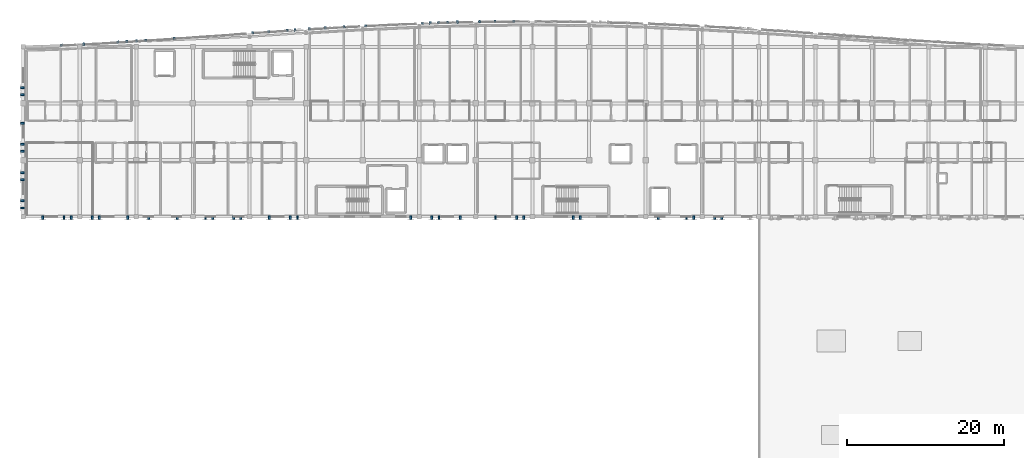
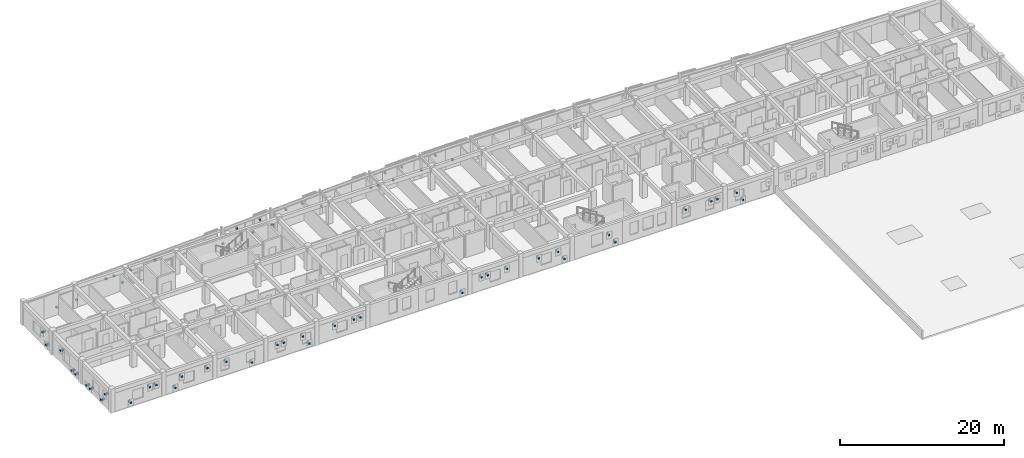
# One storey, part 47 of 50: 61 discrete accessories.
"""IFC4 building model written with IfcOpenShell, lengths in metres."""

from ifc_helpers import new_model, si_unit, direction, frame, origin, origin_2d, place, context, subcontext, project, spatial, rectangle, extrude, material, type_object, element, save


model = new_model("IFC4")

# Units and contexts
model_context = context("Model", 3, precision=1e-05, world=origin(), true_north=direction((0.0, 1.0)))
body_context = subcontext(model_context, "Body", "Model", "MODEL_VIEW")
ifc_project = project(units=[si_unit("LENGTHUNIT", "METRE"), si_unit("AREAUNIT", "SQUARE_METRE"), si_unit("VOLUMEUNIT", "CUBIC_METRE"), si_unit("PLANEANGLEUNIT", "RADIAN"), si_unit("MASSUNIT", "GRAM", prefix="KILO")], contexts=[model_context])

# Site, building, storey
site_placement = place(None, origin())
site = spatial("IfcSite", under=ifc_project, at=site_placement, CompositionType="ELEMENT")
building_placement = place(site_placement, origin())
building = spatial("IfcBuilding", under=site, at=building_placement, Name="Carrowvane Square Congress Hotel", CompositionType="ELEMENT")
storey_placement = place(building_placement, frame((0.0, 0.0, 22.800048828125)))
storey = spatial("IfcBuildingStorey", under=building, at=storey_placement, Name="L05", CompositionType="ELEMENT", Elevation=22.800048828125)

# Discrete accessories
ifc_material = material(Name="Stainless steel 316", Category="steel")
discrete_accessory_type = type_object("IfcDiscreteAccessoryType", Name="ACC-BRK-SS", PredefinedType="BRACKET", material=ifc_material)
for number, where, z_axis, x_axis, name in (
    (1, (38.03125, 113.62255859375, 0.56005859375), (0.0, 0.0, 1.0), (0.99891730083, 0.046521243556, 0.0), "Pixel screen mullion bracket 397"),
    (2, (40.888916015625, 113.759033203125, 0.56005859375), (0.0, 0.0, 1.0), (0.998566941363, 0.053516947007, 0.0), "Pixel screen mullion bracket 398"),
    (3, (45.224853515625, 114.0048828125, 2.02978515625), (0.0, 0.0, 1.0), (0.997996022269, 0.063276690295, 0.0), "Pixel screen mullion bracket 399"),
    (4, (46.39501953125, 114.0791015625, 2.02978515625), (0.0, 0.0, 1.0), (0.997996022269, 0.063276690295, 0.0), "Pixel screen mullion bracket 400"),
    (5, (47.629638671875, 114.157470703125, 0.56005859375), (0.0, 0.0, 1.0), (0.997781458784, 0.066574473385, 0.0), "Pixel screen mullion bracket 401"),
    (6, (48.794677734375, 114.2353515625, 2.02978515625), (0.0, 0.0, 1.0), (0.997781458784, 0.066574473385, 0.0), "Pixel screen mullion bracket 402"),
    (7, (52.42919921875, 114.483642578125, 2.02978515625), (0.0, 0.0, 1.0), (0.997505756275, 0.070585169822, 0.0), "Pixel screen mullion bracket 403"),
    (8, (62.386474609375, 115.193115234375, 0.56005859375), (0.0, 0.0, 1.0), (0.997566258056, 0.069724893606, 0.0), "Pixel screen mullion bracket 404"),
    (9, (64.424560546875, 115.33544921875, 2.02978515625), (0.0, 0.0, 1.0), (0.9976944394, 0.067866085713, 0.0), "Pixel screen mullion bracket 405"),
    (10, (66.82958984375, 115.4990234375, 0.56005859375), (0.0, 0.0, 1.0), (0.99785825325, 0.065413350476, 0.0), "Pixel screen mullion bracket 406"),
    (11, (67.79052734375, 115.56201171875, 2.02978515625), (0.0, 0.0, 1.0), (0.99785825325, 0.065413350476, 0.0), "Pixel screen mullion bracket 407"),
    (12, (69.5849609375, 115.678466796875, 0.56005859375), (0.0, 0.0, 1.0), (0.998051413269, 0.062396926785, 0.0), "Pixel screen mullion bracket 408"),
    (13, (71.630126953125, 115.80615234375, 2.02978515625), (0.0, 0.0, 1.0), (0.998266695506, 0.05885239709, 0.0), "Pixel screen mullion bracket 409"),
    (14, (74.025634765625, 115.947265625, 2.02978515625), (0.0, 0.0, 1.0), (0.998496552462, 0.054814548441, 0.0), "Pixel screen mullion bracket 410"),
    (15, (76.79541015625, 116.09765625, 0.56005859375), (0.0, 0.0, 1.0), (0.998733066647, 0.050321581706, 0.0), "Pixel screen mullion bracket 411"),
    (16, (83.997802734375, 116.417724609375, 0.56005859375), (0.0, 0.0, 1.0), (0.999403768784, 0.034526901703, 0.0), "Pixel screen mullion bracket 412"),
    (17, (84.982421875, 116.451904296875, 0.56005859375), (0.0, 0.0, 1.0), (0.999403768784, 0.034526901703, 0.0), "Pixel screen mullion bracket 413"),
    (18, (86.03271484375, 116.48779296875, 2.02978515625), (0.0, 0.0, 1.0), (0.999589805464, 0.028639497417, 0.0), "Pixel screen mullion bracket 414"),
    (19, (87.19775390625, 116.521240234375, 0.56005859375), (0.0, 0.0, 1.0), (0.999589805464, 0.028639497417, 0.0), "Pixel screen mullion bracket 415"),
    (20, (88.42822265625, 116.556396484375, 2.02978515625), (0.0, 0.0, 1.0), (0.999746418061, 0.022518871507, 0.0), "Pixel screen mullion bracket 416"),
    (21, (91.211181640625, 116.616455078125, 0.56005859375), (0.0, 0.0, 1.0), (0.999868508772, 0.016216200758, 0.0), "Pixel screen mullion bracket 417"),
    (22, (93.229248046875, 116.64892578125, 2.02978515625), (0.0, 0.0, 1.0), (0.999952150705, 0.009782448565, 0.0), "Pixel screen mullion bracket 418"),
    (23, (95.634765625, 116.67236328125, 0.56005859375), (0.0, 0.0, 1.0), (0.999994654955, 0.003269565853, 0.0), "Pixel screen mullion bracket 419"),
):
    element("IfcDiscreteAccessory", number, at=place(storey_placement, frame(where, z_axis=z_axis, x_axis=x_axis)), inside=storey, type_object=discrete_accessory_type, Name=name, PredefinedType="BRACKET", context=body_context, shape_type="SweptSolid", body=[
        extrude(rectangle(XDim=0.239990234375, YDim=0.280029296875, at=origin_2d()), origin(), (0.0, 0.0, 1.0), 0.239990234375),
    ])
for number, where, z_axis, x_axis, name in (
    (24, (122.10009765625, 91.659912109375, 0.56005859375), (0.0, 0.0, 1.0), (-1.0, 0.0, 0.0), "V5 pixel screen bracket 476"),
    (25, (121.199951171875, 91.659912109375, 1.93017578125), (0.0, 0.0, 1.0), (-1.0, 0.0, 0.0), "V5 pixel screen bracket 477"),
    (26, (118.5, 91.659912109375, 1.93017578125), (0.0, 0.0, 1.0), (-1.0, 0.0, 0.0), "V5 pixel screen bracket 478"),
    (27, (117.60009765625, 91.659912109375, 1.93017578125), (0.0, 0.0, 1.0), (-1.0, 0.0, 0.0), "V5 pixel screen bracket 479"),
    (28, (114.0, 91.659912109375, 1.93017578125), (0.0, 0.0, 1.0), (-1.0, 0.0, 0.0), "V5 pixel screen bracket 480"),
    (29, (104.10009765625, 91.659912109375, 0.56005859375), (0.0, 0.0, 1.0), (-1.0, 0.0, 0.0), "V5 pixel screen bracket 481"),
    (30, (103.199951171875, 91.659912109375, 1.93017578125), (0.0, 0.0, 1.0), (-1.0, 0.0, 0.0), "V5 pixel screen bracket 482"),
    (31, (96.89990234375, 91.659912109375, 0.56005859375), (0.0, 0.0, 1.0), (-1.0, 0.0, 0.0), "V5 pixel screen bracket 483"),
    (32, (96.0, 91.659912109375, 1.93017578125), (0.0, 0.0, 1.0), (-1.0, 0.0, 0.0), "V5 pixel screen bracket 484"),
    (33, (93.300048828125, 91.659912109375, 1.93017578125), (0.0, 0.0, 1.0), (-1.0, 0.0, 0.0), "V5 pixel screen bracket 485"),
    (34, (88.800048828125, 91.659912109375, 1.93017578125), (0.0, 0.0, 1.0), (-1.0, 0.0, 0.0), "V5 pixel screen bracket 486"),
    (35, (86.10009765625, 91.659912109375, 1.93017578125), (0.0, 0.0, 1.0), (-1.0, 0.0, 0.0), "V5 pixel screen bracket 487"),
    (36, (85.199951171875, 91.659912109375, 1.93017578125), (0.0, 0.0, 1.0), (-1.0, 0.0, 0.0), "V5 pixel screen bracket 488"),
    (37, (82.5, 91.659912109375, 0.56005859375), (0.0, 0.0, 1.0), (-1.0, 0.0, 0.0), "V5 pixel screen bracket 489"),
    (38, (68.10009765625, 91.659912109375, 1.93017578125), (0.0, 0.0, 1.0), (-1.0, 0.0, 0.0), "V5 pixel screen bracket 490"),
    (39, (67.199951171875, 91.659912109375, 1.93017578125), (0.0, 0.0, 1.0), (-1.0, 0.0, 0.0), "V5 pixel screen bracket 491"),
    (40, (64.5, 91.659912109375, 1.93017578125), (0.0, 0.0, 1.0), (-1.0, 0.0, 0.0), "V5 pixel screen bracket 492"),
    (41, (60.89990234375, 91.659912109375, 0.56005859375), (0.0, 0.0, 1.0), (-1.0, 0.0, 0.0), "V5 pixel screen bracket 493"),
    (42, (60.0, 91.659912109375, 1.93017578125), (0.0, 0.0, 1.0), (-1.0, 0.0, 0.0), "V5 pixel screen bracket 494"),
    (43, (57.300048828125, 91.659912109375, 1.93017578125), (0.0, 0.0, 1.0), (-1.0, 0.0, 0.0), "V5 pixel screen bracket 495"),
    (44, (56.39990234375, 91.659912109375, 1.93017578125), (0.0, 0.0, 1.0), (-1.0, 0.0, 0.0), "V5 pixel screen bracket 496"),
    (45, (52.800048828125, 91.659912109375, 0.56005859375), (0.0, 0.0, 1.0), (-1.0, 0.0, 0.0), "V5 pixel screen bracket 497"),
    (46, (49.199951171875, 91.659912109375, 1.93017578125), (0.0, 0.0, 1.0), (-1.0, 0.0, 0.0), "V5 pixel screen bracket 498"),
    (47, (46.5, 91.659912109375, 1.93017578125), (0.0, 0.0, 1.0), (-1.0, 0.0, 0.0), "V5 pixel screen bracket 499"),
    (48, (42.89990234375, 91.659912109375, 1.93017578125), (0.0, 0.0, 1.0), (-1.0, 0.0, 0.0), "V5 pixel screen bracket 500"),
    (49, (42.0, 91.659912109375, 0.56005859375), (0.0, 0.0, 1.0), (-1.0, 0.0, 0.0), "V5 pixel screen bracket 501"),
    (50, (39.300048828125, 91.659912109375, 1.93017578125), (0.0, 0.0, 1.0), (-1.0, 0.0, 0.0), "V5 pixel screen bracket 502"),
    (51, (38.39990234375, 91.659912109375, 1.93017578125), (0.0, 0.0, 1.0), (-1.0, 0.0, 0.0), "V5 pixel screen bracket 503"),
    (52, (35.699951171875, 91.659912109375, 0.56005859375), (0.0, 0.0, 1.0), (-1.0, 0.0, 0.0), "V5 pixel screen bracket 504"),
    (53, (33.06005859375, 92.89990234375, 1.9150390625), (0.0, 0.0, 1.0), (0.0, 1.0, 0.0), "V5 pixel screen bracket 505"),
    (54, (33.06005859375, 93.800048828125, 0.56005859375), (0.0, 0.0, 1.0), (0.0, 1.0, 0.0), "V5 pixel screen bracket 506"),
    (55, (33.06005859375, 96.5, 0.56005859375), (0.0, 0.0, 1.0), (0.0, 1.0, 0.0), "V5 pixel screen bracket 507"),
    (56, (33.06005859375, 97.39990234375, 0.56005859375), (0.0, 0.0, 1.0), (0.0, 1.0, 0.0), "V5 pixel screen bracket 508"),
    (57, (33.06005859375, 100.10009765625, 0.56005859375), (0.0, 0.0, 1.0), (0.0, 1.0, 0.0), "V5 pixel screen bracket 509"),
    (58, (33.06005859375, 101.0, 0.56005859375), (0.0, 0.0, 1.0), (0.0, 1.0, 0.0), "V5 pixel screen bracket 510"),
    (59, (33.06005859375, 103.699951171875, 1.9150390625), (0.0, 0.0, 1.0), (0.0, 1.0, 0.0), "V5 pixel screen bracket 511"),
    (60, (33.06005859375, 107.300048828125, 0.56005859375), (0.0, 0.0, 1.0), (0.0, 1.0, 0.0), "V5 pixel screen bracket 512"),
    (61, (33.06005859375, 108.199951171875, 1.9150390625), (0.0, 0.0, 1.0), (0.0, 1.0, 0.0), "V5 pixel screen bracket 513"),
):
    element("IfcDiscreteAccessory", number, at=place(storey_placement, frame(where, z_axis=z_axis, x_axis=x_axis)), inside=storey, type_object=discrete_accessory_type, Name=name, PredefinedType="BRACKET", context=body_context, shape_type="SweptSolid", body=[
        extrude(rectangle(XDim=0.239990234375, YDim=0.52001953125, at=origin_2d()), origin(), (0.0, 0.0, 1.0), 0.239990234375),
    ])

save(model, "model.ifc")
